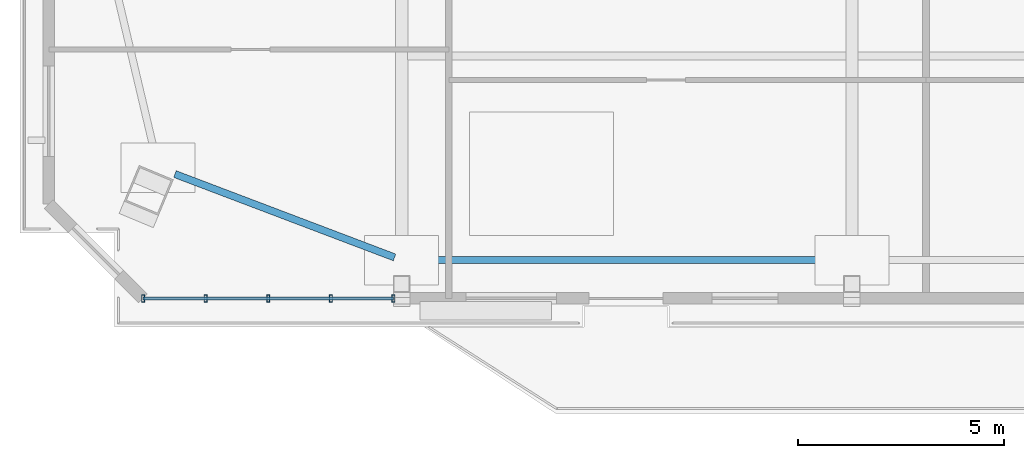
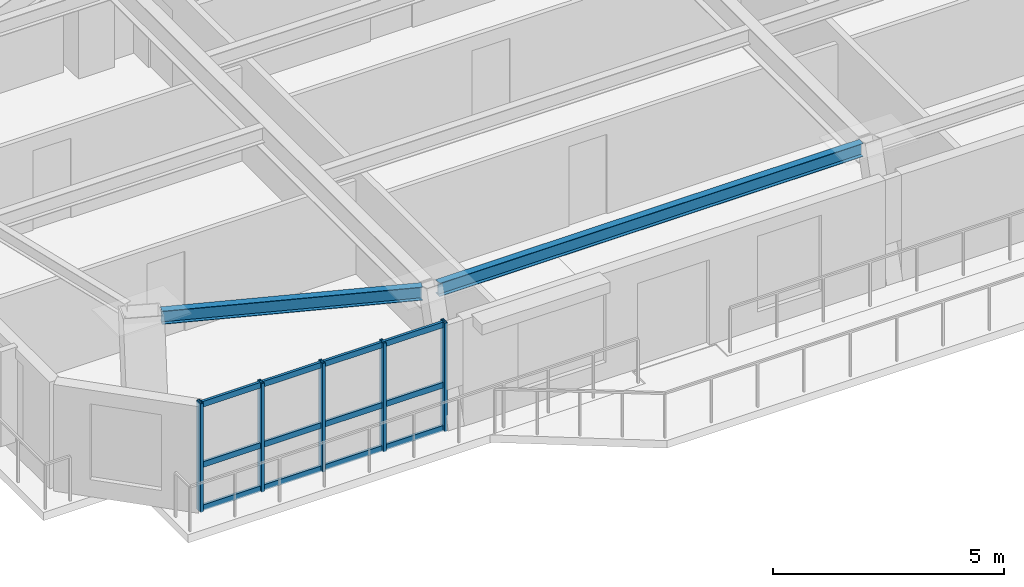
# One storey, part 2 of 13: 8 members, 2 beams, 1 element without a shape of its own.
"""IFC4 building model written with IfcOpenShell, lengths in metres."""

from ifc_helpers import new_model, si_unit, direction, frame, origin, origin_2d, place, context, subcontext, project, spatial, hollow_rectangle, i_section, extrude, source, transform, mapped, material, layer, layer_set, material_profile, profile_set, type_object, element, aggregate, save


model = new_model("IFC4")

# Units and contexts
model_context = context("Model", 3, precision=1e-05, world=origin(), true_north=direction((0.0, 1.0)))
body_context = subcontext(model_context, "Body", "Model", "MODEL_VIEW")
ifc_project = project(units=[si_unit("LENGTHUNIT", "METRE"), si_unit("AREAUNIT", "SQUARE_METRE"), si_unit("VOLUMEUNIT", "CUBIC_METRE"), si_unit("PLANEANGLEUNIT", "RADIAN"), si_unit("MASSUNIT", "GRAM", prefix="KILO")], contexts=[model_context])

# Site, building, storey
site_placement = place(None, origin())
site = spatial("IfcSite", under=ifc_project, at=site_placement, CompositionType="ELEMENT")
building_placement = place(site_placement, origin())
building = spatial("IfcBuilding", under=site, at=building_placement, Name="Giltprow Tower", CompositionType="ELEMENT")
storey_placement = place(building_placement, frame((0.0, 0.0, 332.300048828125)))
storey = spatial("IfcBuildingStorey", under=building, at=storey_placement, Name="L86", CompositionType="ELEMENT", Elevation=332.300048828125)

# Beams
ifc_material_1 = material(Name="Structural steel Q355B", Category="steel")
ifc_material_profile_1 = material_profile(ifc_material_1, i_section(OverallWidth=0.175048828125, OverallDepth=0.35009765625, WebThickness=0.007080078125, FlangeThickness=0.010986328125, at=origin_2d()), Name="HN 350x175x7x11")
ifc_profile_set_1 = profile_set([ifc_material_profile_1], Name="Structural steel Q355B")
beam_type = type_object("IfcBeamType", Name="BM-SPAN-HN350", PredefinedType="SPANDREL", material=ifc_profile_set_1)
shared_shape_1 = source(origin(), body_context, "Body", "SweptSolid", [
    extrude(i_section(OverallWidth=0.175048828125, OverallDepth=0.35009765625, WebThickness=0.007080078125, FlangeThickness=0.010986328125, at=origin_2d()), origin(), (0.0, 0.0, 1.0), 10.580078125),
])
beam_1_placement = place(storey_placement, frame((20.034912109375, 22.568115234375, 3.010009765625), z_axis=(1.0, 0.0, 0.0), x_axis=(0.0, 1.0, 0.0)))
element("IfcBeam", 1, at=beam_1_placement, inside=storey, type_object=beam_type, Name="L86 Perimeter Spandrel Beam S1-S2", PredefinedType="SPANDREL", context=body_context, shape_type="MappedRepresentation", body=[
    mapped(shared_shape_1, transform((0.0, 0.0, 0.0), x_axis=(1.0, 0.0, 0.0), y_axis=(0.0, 1.0, 0.0), z_axis=(0.0, 0.0, 1.0), scale=1.0)),
])
shared_shape_2 = source(origin(), body_context, "Body", "SweptSolid", [
    extrude(i_section(OverallWidth=0.175048828125, OverallDepth=0.35009765625, WebThickness=0.007080078125, FlangeThickness=0.010986328125, at=origin_2d()), origin(), (0.0, 0.0, 1.0), 5.71044921875),
])
beam_2_placement = place(storey_placement, frame((14.337890625, 24.659912109375, 3.010009765625), z_axis=(0.934956945211, -0.354761202221, 0.0), x_axis=(0.354761202221, 0.934956945211, 0.0)))
element("IfcBeam", 2, at=beam_2_placement, inside=storey, type_object=beam_type, Name="L86 Perimeter Spandrel Beam MC_SW-S1", PredefinedType="SPANDREL", context=body_context, shape_type="MappedRepresentation", body=[
    mapped(shared_shape_2, transform((0.0, 0.0, 0.0), x_axis=(1.0, 0.0, 0.0), y_axis=(0.0, 1.0, 0.0), z_axis=(0.0, 0.0, 1.0), scale=1.0)),
])

# Curtain wall, members
ifc_material_2 = material(Name="Anodized bronze", Category="metal")
ifc_layer = layer(ifc_material_2, 0.179931640625, Name="Anodized bronze")
ifc_layer_set = layer_set([ifc_layer], Name="Anodized bronze")
curtain_wall_type = type_object("IfcCurtainWallType", Name="CW-RES-SKY", PredefinedType="NOTDEFINED", material=ifc_layer_set)
curtain_wall_placement = place(storey_placement, origin())
curtain_wall = element("IfcCurtainWall", 3, at=curtain_wall_placement, inside=storey, type_object=curtain_wall_type, Name="L86 South Recessed Curtain Wall 1", PredefinedType="NOTDEFINED")
ifc_material_profile_2 = material_profile(ifc_material_2, hollow_rectangle(XDim=0.074951171875, YDim=0.179931640625, WallThickness=0.008056640625, at=origin_2d()), Name="RHS 180x75x8")
ifc_profile_set_2 = profile_set([ifc_material_profile_2], Name="Anodized bronze")
member_type_1 = type_object("IfcMemberType", Name="CW-MULLION-180x75", PredefinedType="MULLION", material=ifc_profile_set_2)
shared_shape_3 = source(origin(), body_context, "Body", "SweptSolid", [
    extrude(hollow_rectangle(XDim=0.074951171875, YDim=0.179931640625, WallThickness=0.008056640625, at=origin_2d()), origin(), (0.0, 0.0, 1.0), 2.869873046875),
])
member_1_placement = place(storey_placement, frame((13.56201171875, 21.635986328125, -0.02001953125), z_axis=(0.0, 0.0, 1.0), x_axis=(1.0, 0.0, 0.0)))
member_1 = element("IfcMember", 4, at=member_1_placement, type_object=member_type_1, Name="L86 South Recessed Curtain Wall 1 Mullion 1", PredefinedType="MULLION", context=body_context, shape_type="MappedRepresentation", body=[
    mapped(shared_shape_3, transform((0.0, 0.0, 0.0), x_axis=(1.0, 0.0, 0.0), y_axis=(0.0, 1.0, 0.0), z_axis=(0.0, 0.0, 1.0), scale=1.0)),
])
member_2_placement = place(storey_placement, frame((15.083984375, 21.635986328125, -0.02001953125), z_axis=(0.0, 0.0, 1.0), x_axis=(1.0, 0.0, 0.0)))
member_2 = element("IfcMember", 5, at=member_2_placement, type_object=member_type_1, Name="L86 South Recessed Curtain Wall 1 Mullion 2", PredefinedType="MULLION", context=body_context, shape_type="MappedRepresentation", body=[
    mapped(shared_shape_3, transform((0.0, 0.0, 0.0), x_axis=(1.0, 0.0, 0.0), y_axis=(0.0, 1.0, 0.0), z_axis=(0.0, 0.0, 1.0), scale=1.0)),
])
member_3_placement = place(storey_placement, frame((16.60595703125, 21.635986328125, -0.02001953125), z_axis=(0.0, 0.0, 1.0), x_axis=(1.0, 0.0, 0.0)))
member_3 = element("IfcMember", 6, at=member_3_placement, type_object=member_type_1, Name="L86 South Recessed Curtain Wall 1 Mullion 3", PredefinedType="MULLION", context=body_context, shape_type="MappedRepresentation", body=[
    mapped(shared_shape_3, transform((0.0, 0.0, 0.0), x_axis=(1.0, 0.0, 0.0), y_axis=(0.0, 1.0, 0.0), z_axis=(0.0, 0.0, 1.0), scale=1.0)),
])
member_4_placement = place(storey_placement, frame((18.1279296875, 21.635986328125, -0.02001953125), z_axis=(0.0, 0.0, 1.0), x_axis=(1.0, 0.0, 0.0)))
member_4 = element("IfcMember", 7, at=member_4_placement, type_object=member_type_1, Name="L86 South Recessed Curtain Wall 1 Mullion 4", PredefinedType="MULLION", context=body_context, shape_type="MappedRepresentation", body=[
    mapped(shared_shape_3, transform((0.0, 0.0, 0.0), x_axis=(1.0, 0.0, 0.0), y_axis=(0.0, 1.0, 0.0), z_axis=(0.0, 0.0, 1.0), scale=1.0)),
])
member_5_placement = place(storey_placement, frame((19.64990234375, 21.635986328125, -0.02001953125), z_axis=(0.0, 0.0, 1.0), x_axis=(1.0, 0.0, 0.0)))
member_5 = element("IfcMember", 8, at=member_5_placement, type_object=member_type_1, Name="L86 South Recessed Curtain Wall 1 Mullion 5", PredefinedType="MULLION", context=body_context, shape_type="MappedRepresentation", body=[
    mapped(shared_shape_3, transform((0.0, 0.0, 0.0), x_axis=(1.0, 0.0, 0.0), y_axis=(0.0, 1.0, 0.0), z_axis=(0.0, 0.0, 1.0), scale=1.0)),
])
ifc_material_profile_3 = material_profile(ifc_material_2, hollow_rectangle(XDim=0.06494140625, YDim=0.14990234375, WallThickness=0.006103515625, at=origin_2d()), Name="RHS 150x65x6")
ifc_profile_set_3 = profile_set([ifc_material_profile_3], Name="Anodized bronze")
member_type_2 = type_object("IfcMemberType", Name="CW-TRANSOM-150x65", PredefinedType="USERDEFINED", material=ifc_profile_set_3)
shared_shape_4 = source(origin(), body_context, "Body", "SweptSolid", [
    extrude(hollow_rectangle(XDim=0.06494140625, YDim=0.14990234375, WallThickness=0.006103515625, at=origin_2d()), origin(), (0.0, 0.0, 1.0), 6.087890625),
])
member_6_placement = place(storey_placement, frame((13.56201171875, 21.635986328125, 0.0400390625), z_axis=(1.0, 0.0, 0.0), x_axis=(0.0, 1.0, 0.0)))
member_6 = element("IfcMember", 9, at=member_6_placement, type_object=member_type_2, Name="L86 South Recessed Curtain Wall 1 Transom 1", ObjectType="TRANSOM", PredefinedType="USERDEFINED", context=body_context, shape_type="MappedRepresentation", body=[
    mapped(shared_shape_4, transform((0.0, 0.0, 0.0), x_axis=(1.0, 0.0, 0.0), y_axis=(0.0, 1.0, 0.0), z_axis=(0.0, 0.0, 1.0), scale=1.0)),
])
member_7_placement = place(storey_placement, frame((13.56201171875, 21.635986328125, 1.181884765625), z_axis=(1.0, 0.0, 0.0), x_axis=(0.0, 1.0, 0.0)))
member_7 = element("IfcMember", 10, at=member_7_placement, type_object=member_type_2, Name="L86 South Recessed Curtain Wall 1 Transom 2", ObjectType="TRANSOM", PredefinedType="USERDEFINED", context=body_context, shape_type="MappedRepresentation", body=[
    mapped(shared_shape_4, transform((0.0, 0.0, 0.0), x_axis=(1.0, 0.0, 0.0), y_axis=(0.0, 1.0, 0.0), z_axis=(0.0, 0.0, 1.0), scale=1.0)),
])
member_8_placement = place(storey_placement, frame((13.56201171875, 21.635986328125, 2.77490234375), z_axis=(1.0, 0.0, 0.0), x_axis=(0.0, 1.0, 0.0)))
member_8 = element("IfcMember", 11, at=member_8_placement, type_object=member_type_2, Name="L86 South Recessed Curtain Wall 1 Transom 3", ObjectType="TRANSOM", PredefinedType="USERDEFINED", context=body_context, shape_type="MappedRepresentation", body=[
    mapped(shared_shape_4, transform((0.0, 0.0, 0.0), x_axis=(1.0, 0.0, 0.0), y_axis=(0.0, 1.0, 0.0), z_axis=(0.0, 0.0, 1.0), scale=1.0)),
])
aggregate(curtain_wall, [member_1, member_2, member_3, member_4, member_5, member_6, member_7, member_8])

save(model, "model.ifc")
